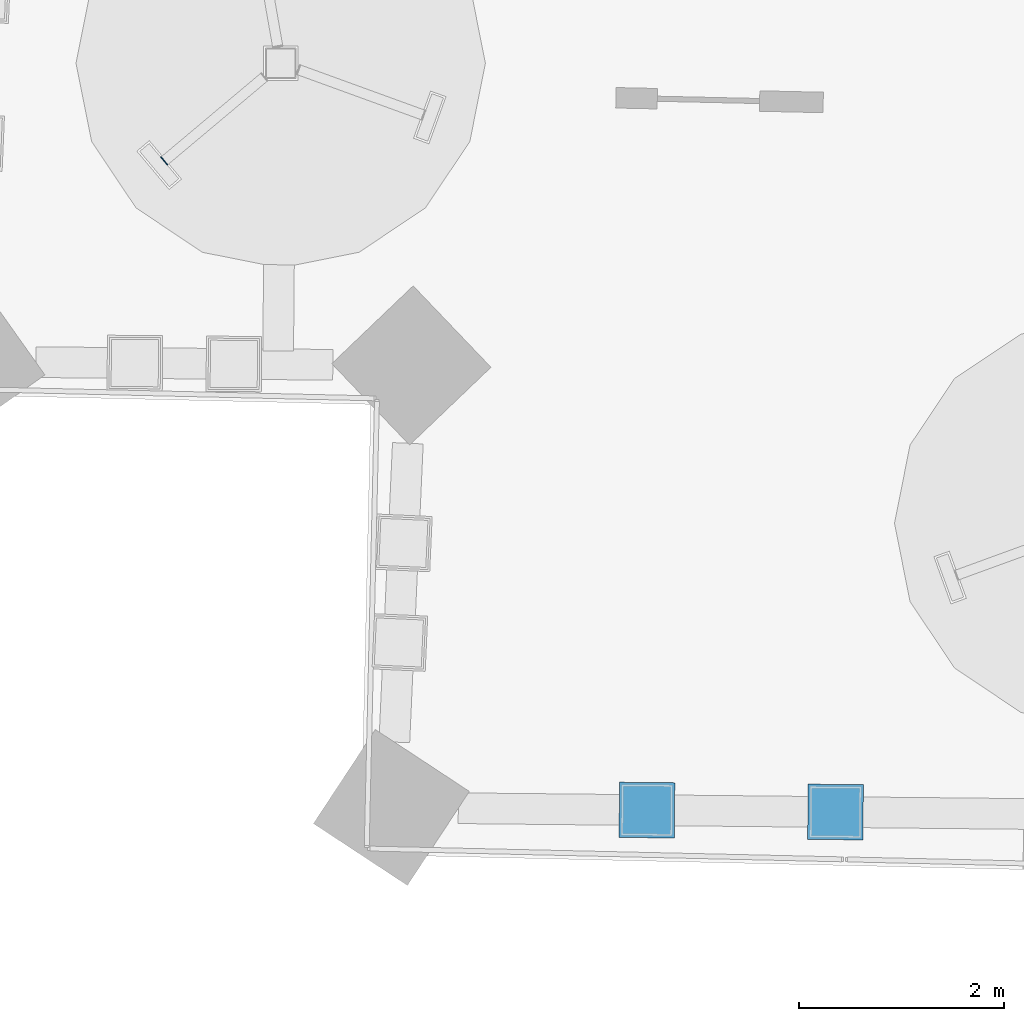
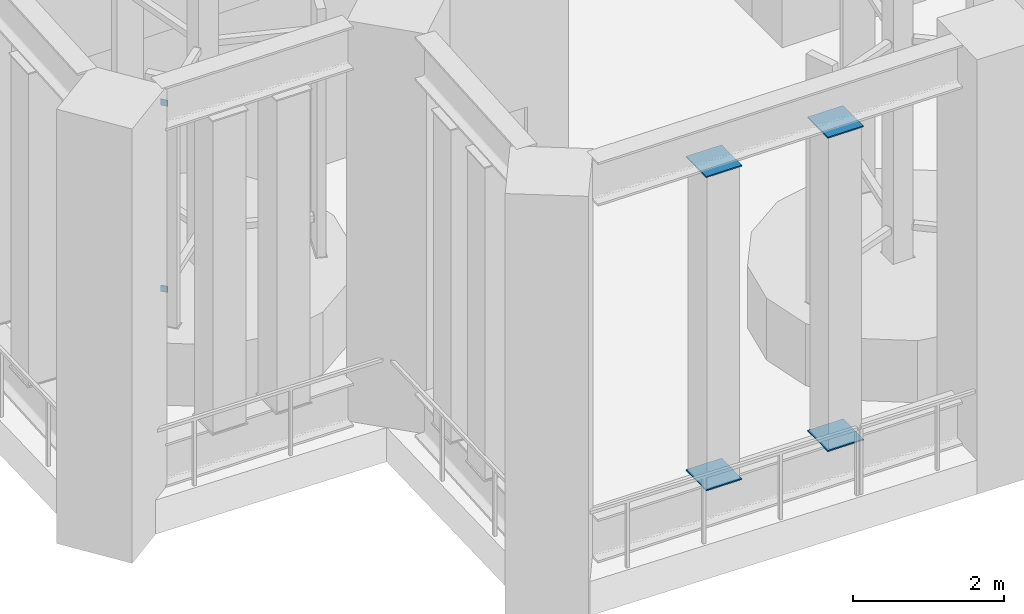
# One storey, part 11 of 33: 6 discrete accessories.
"""IFC4 building model written with IfcOpenShell, lengths in metres."""

from ifc_helpers import new_model, si_unit, direction, frame, origin, origin_2d, place, context, subcontext, project, spatial, rectangle, extrude, material, layer, layer_set, type_object, element, save


model = new_model("IFC4")

# Units and contexts
model_context = context("Model", 3, precision=1e-05, world=origin(), true_north=direction((0.0, 1.0)))
body_context = subcontext(model_context, "Body", "Model", "MODEL_VIEW")
ifc_project = project(units=[si_unit("LENGTHUNIT", "METRE"), si_unit("AREAUNIT", "SQUARE_METRE"), si_unit("VOLUMEUNIT", "CUBIC_METRE"), si_unit("PLANEANGLEUNIT", "RADIAN"), si_unit("MASSUNIT", "GRAM", prefix="KILO")], contexts=[model_context])

# Site, building, storey
site_placement = place(None, origin())
site = spatial("IfcSite", under=ifc_project, at=site_placement, CompositionType="ELEMENT")
building_placement = place(site_placement, origin())
building = spatial("IfcBuilding", under=site, at=building_placement, Name="Mangrove Gate Tower", CompositionType="ELEMENT")
storey_placement = place(building_placement, frame((0.0, 0.0, 219.5)))
storey = spatial("IfcBuildingStorey", under=building, at=storey_placement, Name="L56", CompositionType="ELEMENT", Elevation=219.5)

# Discrete accessories
ifc_material_1 = material(Name="Steel S355J2H", Category="steel")
ifc_layer_1 = layer(ifc_material_1, 0.010009765625)
ifc_layer_set_1 = layer_set([ifc_layer_1], Name="Arm end plate 100x100x10")
discrete_accessory_type_1 = type_object("IfcDiscreteAccessoryType", Name="Arm end plate 100x100x10", PredefinedType="ANCHORPLATE", material=ifc_layer_set_1)
for number, where, z_axis, x_axis, name in (
    (1, (-25.508056640625, -14.178955078125, 1.449951171875), (0.0, 0.0, 1.0), (-0.766044443119, -0.642787609687, 0.0), "END PLATE ARM L56 12.2.1 FIN"),
    (2, (-25.508056640625, -14.178955078125, 4.449951171875), (0.0, 0.0, 1.0), (-0.766044443119, -0.642787609687, 0.0), "END PLATE ARM L56 12.2.2 FIN"),
):
    element("IfcDiscreteAccessory", number, at=place(storey_placement, frame(where, z_axis=z_axis, x_axis=x_axis)), inside=storey, type_object=discrete_accessory_type_1, Name=name, PredefinedType="ANCHORPLATE", context=body_context, shape_type="SweptSolid", body=[
        extrude(rectangle(XDim=0.010009765625, YDim=0.10009765625, at=origin_2d()), origin(), (0.0, 0.0, 1.0), 0.10009765625),
    ])
ifc_material_2 = material(Name="Steel S355J2H", Category="steel")
ifc_layer_2 = layer(ifc_material_2, 0.02001953125)
ifc_layer_set_2 = layer_set([ifc_layer_2], Name="Belt truss end plate 540x540x20")
discrete_accessory_type_2 = type_object("IfcDiscreteAccessoryType", Name="Belt truss end plate 540x540x20", PredefinedType="ANCHORPLATE", material=ifc_layer_set_2)
for number, where, z_axis, x_axis, name in (
    (3, (-20.79150390625, -20.52294921875, 0.68994140625), (0.0, 0.0, 1.0), (0.999948224755, -0.010175844408, 0.0), "Belt truss end plate L56 04-1 bottom"),
    (4, (-20.79150390625, -20.52294921875, 5.739990234375), (0.0, 0.0, 1.0), (0.999948224755, -0.010175844408, 0.0), "Belt truss end plate L56 04-1 top"),
    (5, (-18.948486328125, -20.541748046875, 0.68994140625), (0.0, 0.0, 1.0), (0.999948224755, -0.010175844408, 0.0), "Belt truss end plate L56 04-2 bottom"),
    (6, (-18.948486328125, -20.541748046875, 5.739990234375), (0.0, 0.0, 1.0), (0.999948224755, -0.010175844408, 0.0), "Belt truss end plate L56 04-2 top"),
):
    element("IfcDiscreteAccessory", number, at=place(storey_placement, frame(where, z_axis=z_axis, x_axis=x_axis)), inside=storey, type_object=discrete_accessory_type_2, Name=name, PredefinedType="ANCHORPLATE", context=body_context, shape_type="SweptSolid", body=[
        extrude(rectangle(XDim=0.5400390625, YDim=0.5400390625, at=origin_2d()), origin(), (0.0, 0.0, 1.0), 0.02001953125),
    ])

save(model, "model.ifc")
